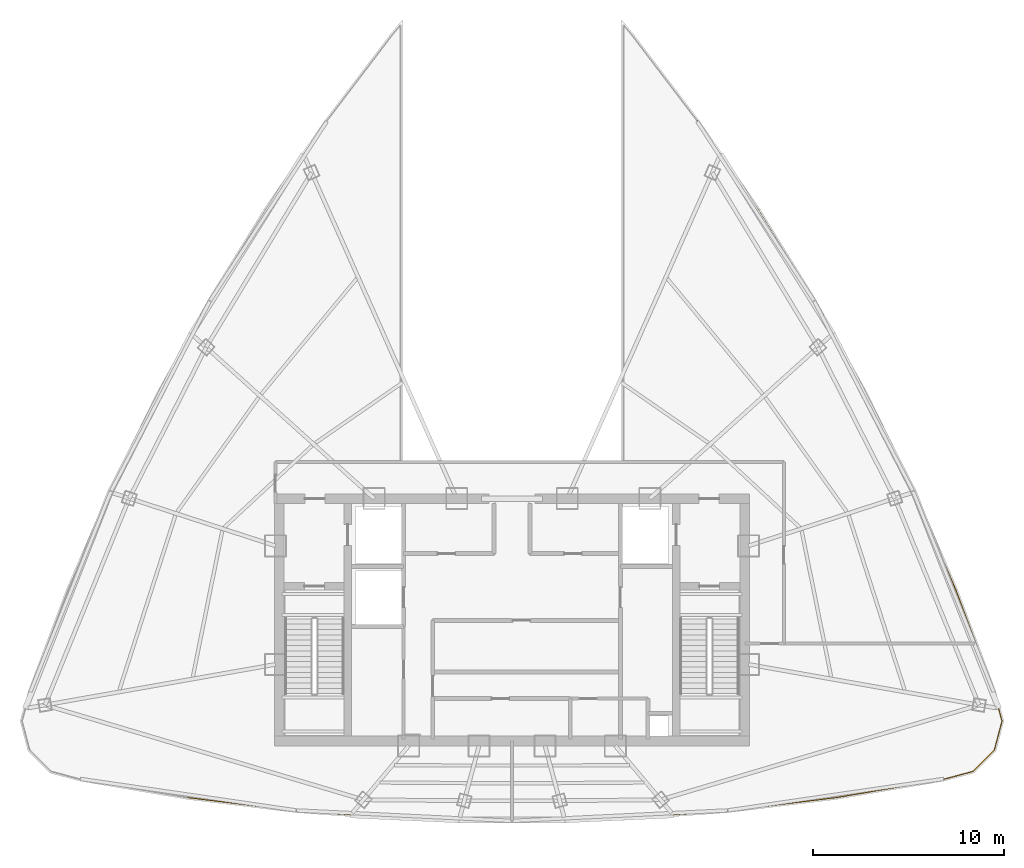
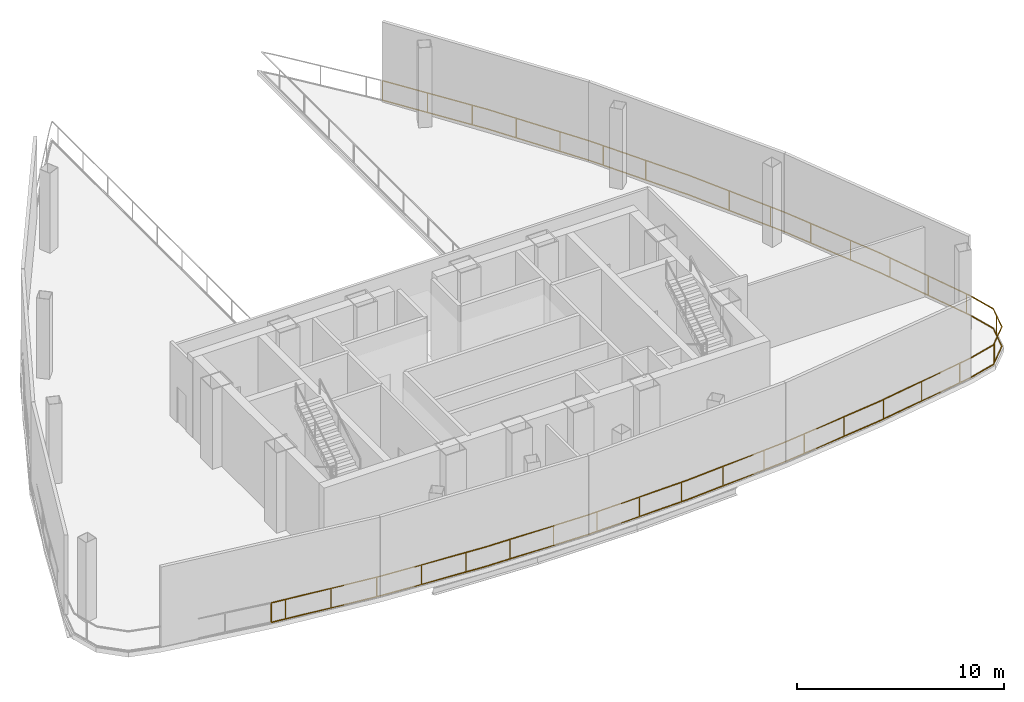
# One storey, part 5 of 6: 1 railing.
"""IFC4 building model written with IfcOpenShell, lengths in metres."""

from ifc_helpers import new_model, si_unit, direction, frame, origin, origin_2d, place, context, subcontext, project, spatial, rectangle, extrude, material, type_object, element, save


model = new_model("IFC4")

# Units and contexts
model_context = context("Model", 3, precision=1e-05, world=origin(), true_north=direction((0.0, 1.0)))
body_context = subcontext(model_context, "Body", "Model", "MODEL_VIEW")
ifc_project = project(units=[si_unit("LENGTHUNIT", "METRE"), si_unit("AREAUNIT", "SQUARE_METRE"), si_unit("VOLUMEUNIT", "CUBIC_METRE"), si_unit("PLANEANGLEUNIT", "RADIAN"), si_unit("MASSUNIT", "GRAM", prefix="KILO"), si_unit("THERMODYNAMICTEMPERATUREUNIT", "KELVIN"), si_unit("POWERUNIT", "WATT")], contexts=[model_context])

# Site, building, storey
site_placement = place(None, origin())
site = spatial("IfcSite", under=ifc_project, at=site_placement, CompositionType="ELEMENT")
building_placement = place(site_placement, origin())
building = spatial("IfcBuilding", under=site, at=building_placement, Name="Yunzhuo Pagoda Commons", CompositionType="ELEMENT")
storey_placement = place(building_placement, frame((0.0, 0.0, 381.760009765625)))
storey = spatial("IfcBuildingStorey", under=building, at=storey_placement, Name="L95", CompositionType="ELEMENT", Elevation=381.760009765625)

# Railing
ifc_material = material(Name="Anodized aluminium 6063-T6", Category="aluminium")
railing_type = type_object("IfcRailingType", Name="RL-PRT1 Wind Portal & Refuge Guardrail 1200", PredefinedType="GUARDRAIL", material=ifc_material)
railing_placement = place(storey_placement, frame((57.712890625, 59.97998046875, 0.0)))
element("IfcRailing", 1, at=railing_placement, inside=storey, type_object=railing_type, Name="L95 wind portal wing 1 guardrail A", PredefinedType="GUARDRAIL", context=body_context, shape_type="SweptSolid", body=[
    extrude(rectangle(XDim=0.048095703125, YDim=0.048095703125, at=origin_2d()), frame((0.0, 0.0, 1.17578125), z_axis=(0.566184343599, -0.824278647706, 0.0), x_axis=(0.824278647706, 0.566184343599, 0.0)), (0.0, 0.0, 1.0), 5.62548828125),
    extrude(rectangle(XDim=0.048095703125, YDim=0.048095703125, at=origin_2d()), frame((0.0, 0.0, 0.02392578125), z_axis=(0.566184343599, -0.824278647706, 0.0), x_axis=(0.824278647706, 0.566184343599, 0.0)), (0.0, 0.0, 1.0), 5.62548828125),
    extrude(rectangle(XDim=0.048095703125, YDim=0.048095703125, at=origin_2d()), frame((3.18505859375, -4.636962890625, 1.17578125), z_axis=(0.52515291418, -0.851007882883, 0.0), x_axis=(0.851007882883, 0.52515291418, 0.0)), (0.0, 0.0, 1.0), 5.61181640625),
    extrude(rectangle(XDim=0.048095703125, YDim=0.048095703125, at=origin_2d()), frame((3.18505859375, -4.636962890625, 0.02392578125), z_axis=(0.52515291418, -0.851007882883, 0.0), x_axis=(0.851007882883, 0.52515291418, 0.0)), (0.0, 0.0, 1.0), 5.61181640625),
    extrude(rectangle(XDim=0.048095703125, YDim=0.048095703125, at=origin_2d()), frame((6.132080078125, -9.41259765625, 1.17578125), z_axis=(0.482785214166, -0.875738794951, 0.0), x_axis=(0.875738794951, 0.482785214166, 0.0)), (0.0, 0.0, 1.0), 5.612060546875),
    extrude(rectangle(XDim=0.048095703125, YDim=0.048095703125, at=origin_2d()), frame((6.132080078125, -9.41259765625, 0.02392578125), z_axis=(0.482785214166, -0.875738794951, 0.0), x_axis=(0.875738794951, 0.482785214166, 0.0)), (0.0, 0.0, 1.0), 5.612060546875),
    extrude(rectangle(XDim=0.048095703125, YDim=0.048095703125, at=origin_2d()), frame((8.841552734375, -14.327392578125, 1.17578125), z_axis=(0.439384485978, -0.898299100234, 0.0), x_axis=(0.898299100234, 0.439384485978, 0.0)), (0.0, 0.0, 1.0), 5.625244140625),
    extrude(rectangle(XDim=0.048095703125, YDim=0.048095703125, at=origin_2d()), frame((8.841552734375, -14.327392578125, 0.02392578125), z_axis=(0.439384485978, -0.898299100234, 0.0), x_axis=(0.898299100234, 0.439384485978, 0.0)), (0.0, 0.0, 1.0), 5.625244140625),
    extrude(rectangle(XDim=0.048095703125, YDim=0.048095703125, at=origin_2d()), frame((11.313232421875, -19.380615234375, 1.17578125), z_axis=(0.395237697454, -0.91857888203, 0.0), x_axis=(0.91857888203, 0.395237697454, 0.0)), (0.0, 0.0, 1.0), 5.652587890625),
    extrude(rectangle(XDim=0.048095703125, YDim=0.048095703125, at=origin_2d()), frame((11.313232421875, -19.380615234375, 0.02392578125), z_axis=(0.395237697454, -0.91857888203, 0.0), x_axis=(0.91857888203, 0.395237697454, 0.0)), (0.0, 0.0, 1.0), 5.652587890625),
    extrude(rectangle(XDim=0.048095703125, YDim=0.048095703125, at=origin_2d()), frame((13.54736328125, -24.572998046875, 1.17578125), z_axis=(0.350704936473, -0.936486010325, 0.0), x_axis=(0.936486010325, 0.350704936473, 0.0)), (0.0, 0.0, 1.0), 5.690185546875),
    extrude(rectangle(XDim=0.048095703125, YDim=0.048095703125, at=origin_2d()), frame((13.54736328125, -24.572998046875, 0.02392578125), z_axis=(0.350704936473, -0.936486010325, 0.0), x_axis=(0.936486010325, 0.350704936473, 0.0)), (0.0, 0.0, 1.0), 5.690185546875),
    extrude(rectangle(XDim=0.048095703125, YDim=0.048095703125, at=origin_2d()), frame((15.54296875, -29.90185546875, 1.17578125), z_axis=(0.262922930823, -0.964816838808, 0.0), x_axis=(0.964816838808, 0.262922930823, 0.0)), (0.0, 0.0, 1.0), 1.593505859375),
    extrude(rectangle(XDim=0.048095703125, YDim=0.048095703125, at=origin_2d()), frame((15.54296875, -29.90185546875, 0.02392578125), z_axis=(0.262922930823, -0.964816838808, 0.0), x_axis=(0.964816838808, 0.262922930823, 0.0)), (0.0, 0.0, 1.0), 1.593505859375),
    extrude(rectangle(XDim=0.048095703125, YDim=0.048095703125, at=origin_2d()), frame((15.9619140625, -31.439208984375, 1.17578125), z_axis=(-0.256114674662, -0.966646405581, 0.0), x_axis=(0.966646405581, -0.256114674662, 0.0)), (0.0, 0.0, 1.0), 1.571044921875),
    extrude(rectangle(XDim=0.048095703125, YDim=0.048095703125, at=origin_2d()), frame((15.9619140625, -31.439208984375, 0.02392578125), z_axis=(-0.256114674662, -0.966646405581, 0.0), x_axis=(0.966646405581, -0.256114674662, 0.0)), (0.0, 0.0, 1.0), 1.571044921875),
    extrude(rectangle(XDim=0.048095703125, YDim=0.048095703125, at=origin_2d()), frame((15.5595703125, -32.957763671875, 1.17578125), z_axis=(-0.705784726327, -0.708426368851, 0.0), x_axis=(0.708426368851, -0.705784726327, 0.0)), (0.0, 0.0, 1.0), 1.571044921875),
    extrude(rectangle(XDim=0.048095703125, YDim=0.048095703125, at=origin_2d()), frame((15.5595703125, -32.957763671875, 0.02392578125), z_axis=(-0.705784726327, -0.708426368851, 0.0), x_axis=(0.708426368851, -0.705784726327, 0.0)), (0.0, 0.0, 1.0), 1.571044921875),
    extrude(rectangle(XDim=0.048095703125, YDim=0.048095703125, at=origin_2d()), frame((14.45068359375, -34.07080078125, 1.17578125), z_axis=(-0.965767970821, -0.259407452737, 0.0), x_axis=(0.259407452737, -0.965767970821, 0.0)), (0.0, 0.0, 1.0), 1.59326171875),
    extrude(rectangle(XDim=0.048095703125, YDim=0.048095703125, at=origin_2d()), frame((14.45068359375, -34.07080078125, 0.02392578125), z_axis=(-0.965767970821, -0.259407452737, 0.0), x_axis=(0.259407452737, -0.965767970821, 0.0)), (0.0, 0.0, 1.0), 1.59326171875),
    extrude(rectangle(XDim=0.048095703125, YDim=0.048095703125, at=origin_2d()), frame((12.911865234375, -34.484130859375, 1.17578125), z_axis=(-0.985802138358, -0.167911119374, 0.0), x_axis=(0.167911119374, -0.985802138358, 0.0)), (0.0, 0.0, 1.0), 5.736083984375),
    extrude(rectangle(XDim=0.048095703125, YDim=0.048095703125, at=origin_2d()), frame((12.911865234375, -34.484130859375, 0.02392578125), z_axis=(-0.985802138358, -0.167911119374, 0.0), x_axis=(0.167911119374, -0.985802138358, 0.0)), (0.0, 0.0, 1.0), 5.736083984375),
    extrude(rectangle(XDim=0.048095703125, YDim=0.048095703125, at=origin_2d()), frame((7.25732421875, -35.447265625, 1.17578125), z_axis=(-0.992679866882, -0.120775336415, 0.0), x_axis=(0.120775336415, -0.992679866882, 0.0)), (0.0, 0.0, 1.0), 5.698486328125),
    extrude(rectangle(XDim=0.048095703125, YDim=0.048095703125, at=origin_2d()), frame((7.25732421875, -35.447265625, 0.02392578125), z_axis=(-0.992679866882, -0.120775336415, 0.0), x_axis=(0.120775336415, -0.992679866882, 0.0)), (0.0, 0.0, 1.0), 5.698486328125),
    extrude(rectangle(XDim=0.048095703125, YDim=0.048095703125, at=origin_2d()), frame((1.6005859375, -36.135498046875, 1.17578125), z_axis=(-0.997347611659, -0.072785585918, 0.0), x_axis=(0.072785585918, -0.997347611659, 0.0)), (0.0, 0.0, 1.0), 5.672119140625),
    extrude(rectangle(XDim=0.048095703125, YDim=0.048095703125, at=origin_2d()), frame((1.6005859375, -36.135498046875, 0.02392578125), z_axis=(-0.997347611659, -0.072785585918, 0.0), x_axis=(0.072785585918, -0.997347611659, 0.0)), (0.0, 0.0, 1.0), 5.672119140625),
    extrude(rectangle(XDim=0.048095703125, YDim=0.048095703125, at=origin_2d()), frame((-4.056396484375, -36.54833984375, 1.17578125), z_axis=(-0.999703843907, -0.024335662651, 0.0), x_axis=(0.024335662651, -0.999703843907, 0.0)), (0.0, 0.0, 1.0), 5.658203125),
    extrude(rectangle(XDim=0.048095703125, YDim=0.048095703125, at=origin_2d()), frame((-4.056396484375, -36.54833984375, 0.02392578125), z_axis=(-0.999703843907, -0.024335662651, 0.0), x_axis=(0.024335662651, -0.999703843907, 0.0)), (0.0, 0.0, 1.0), 5.658203125),
    extrude(rectangle(XDim=0.048095703125, YDim=0.048095703125, at=origin_2d()), frame((-9.712890625, -36.68603515625, 1.17578125), z_axis=(-0.999703869459, 0.024334612964, 0.0), x_axis=(-0.024334612964, -0.999703869459, 0.0)), (0.0, 0.0, 1.0), 5.658447265625),
    extrude(rectangle(XDim=0.048095703125, YDim=0.048095703125, at=origin_2d()), frame((-9.712890625, -36.68603515625, 0.02392578125), z_axis=(-0.999703869459, 0.024334612964, 0.0), x_axis=(-0.024334612964, -0.999703869459, 0.0)), (0.0, 0.0, 1.0), 5.658447265625),
    extrude(rectangle(XDim=0.048095703125, YDim=0.048095703125, at=origin_2d()), frame((-15.36962890625, -36.54833984375, 1.17578125), z_axis=(-0.997347383614, 0.072788710647, 0.0), x_axis=(-0.072788710647, -0.997347383614, 0.0)), (0.0, 0.0, 1.0), 5.671875),
    extrude(rectangle(XDim=0.048095703125, YDim=0.048095703125, at=origin_2d()), frame((-15.36962890625, -36.54833984375, 0.02392578125), z_axis=(-0.997347383614, 0.072788710647, 0.0), x_axis=(-0.072788710647, -0.997347383614, 0.0)), (0.0, 0.0, 1.0), 5.671875),
    extrude(rectangle(XDim=0.048095703125, YDim=0.048095703125, at=origin_2d()), frame((-21.0263671875, -36.135498046875, 1.17578125), z_axis=(-0.992679866882, 0.120775336415, 0.0), x_axis=(-0.120775336415, -0.992679866882, 0.0)), (0.0, 0.0, 1.0), 5.698486328125),
    extrude(rectangle(XDim=0.048095703125, YDim=0.048095703125, at=origin_2d()), frame((-21.0263671875, -36.135498046875, 0.02392578125), z_axis=(-0.992679866882, 0.120775336415, 0.0), x_axis=(-0.120775336415, -0.992679866882, 0.0)), (0.0, 0.0, 1.0), 5.698486328125),
    extrude(rectangle(XDim=0.0419921875, YDim=0.0419921875, at=origin_2d()), origin(), (0.0, 0.0, 1.0), 1.15185546875),
    extrude(rectangle(XDim=0.0419921875, YDim=0.0419921875, at=origin_2d()), frame((1.35888671875, -1.978271484375, 0.0)), (0.0, 0.0, 1.0), 1.15185546875),
    extrude(rectangle(XDim=0.0419921875, YDim=0.0419921875, at=origin_2d()), frame((2.7177734375, -3.95654296875, 0.0)), (0.0, 0.0, 1.0), 1.15185546875),
    extrude(rectangle(XDim=0.0419921875, YDim=0.0419921875, at=origin_2d()), frame((4.011962890625, -5.976806640625, 0.0)), (0.0, 0.0, 1.0), 1.15185546875),
    extrude(rectangle(XDim=0.0419921875, YDim=0.0419921875, at=origin_2d()), frame((5.272216796875, -8.019287109375, 0.0)), (0.0, 0.0, 1.0), 1.15185546875),
    extrude(rectangle(XDim=0.0419921875, YDim=0.0419921875, at=origin_2d()), frame((6.500244140625, -10.08056640625, 0.0)), (0.0, 0.0, 1.0), 1.15185546875),
    extrude(rectangle(XDim=0.0419921875, YDim=0.0419921875, at=origin_2d()), frame((7.658935546875, -12.182373046875, 0.0)), (0.0, 0.0, 1.0), 1.15185546875),
    extrude(rectangle(XDim=0.0419921875, YDim=0.0419921875, at=origin_2d()), frame((9.874267578125, -16.43896484375, 0.0)), (0.0, 0.0, 1.0), 1.15185546875),
    extrude(rectangle(XDim=0.0419921875, YDim=0.0419921875, at=origin_2d()), frame((10.928955078125, -18.594970703125, 0.0)), (0.0, 0.0, 1.0), 1.15185546875),
    extrude(rectangle(XDim=0.0419921875, YDim=0.0419921875, at=origin_2d()), frame((11.916015625, -20.78173828125, 0.0)), (0.0, 0.0, 1.0), 1.15185546875),
    extrude(rectangle(XDim=0.0419921875, YDim=0.0419921875, at=origin_2d()), frame((12.86474609375, -22.986328125, 0.0)), (0.0, 0.0, 1.0), 1.15185546875),
    extrude(rectangle(XDim=0.0419921875, YDim=0.0419921875, at=origin_2d()), frame((13.783203125, -25.202880859375, 0.0)), (0.0, 0.0, 1.0), 1.15185546875),
    extrude(rectangle(XDim=0.0419921875, YDim=0.0419921875, at=origin_2d()), frame((14.625, -27.450439453125, 0.0)), (0.0, 0.0, 1.0), 1.15185546875),
    extrude(rectangle(XDim=0.0419921875, YDim=0.0419921875, at=origin_2d()), frame((15.466552734375, -29.697998046875, 0.0)), (0.0, 0.0, 1.0), 1.15185546875),
    extrude(rectangle(XDim=0.0419921875, YDim=0.0419921875, at=origin_2d()), frame((15.81103515625, -32.008544921875, 0.0)), (0.0, 0.0, 1.0), 1.15185546875),
    extrude(rectangle(XDim=0.0419921875, YDim=0.0419921875, at=origin_2d()), frame((14.558837890625, -33.96240234375, 0.0)), (0.0, 0.0, 1.0), 1.15185546875),
    extrude(rectangle(XDim=0.0419921875, YDim=0.0419921875, at=origin_2d()), frame((12.267578125, -34.59375, 0.0)), (0.0, 0.0, 1.0), 1.15185546875),
    extrude(rectangle(XDim=0.0419921875, YDim=0.0419921875, at=origin_2d()), frame((9.901611328125, -34.996826171875, 0.0)), (0.0, 0.0, 1.0), 1.15185546875),
    extrude(rectangle(XDim=0.0419921875, YDim=0.0419921875, at=origin_2d()), frame((7.535888671875, -35.39990234375, 0.0)), (0.0, 0.0, 1.0), 1.15185546875),
    extrude(rectangle(XDim=0.0419921875, YDim=0.0419921875, at=origin_2d()), frame((5.1552734375, -35.703125, 0.0)), (0.0, 0.0, 1.0), 1.15185546875),
    extrude(rectangle(XDim=0.0419921875, YDim=0.0419921875, at=origin_2d()), frame((2.77294921875, -35.992919921875, 0.0)), (0.0, 0.0, 1.0), 1.15185546875),
    extrude(rectangle(XDim=0.0419921875, YDim=0.0419921875, at=origin_2d()), frame((0.384765625, -36.22412109375, 0.0)), (0.0, 0.0, 1.0), 1.15185546875),
    extrude(rectangle(XDim=0.0419921875, YDim=0.0419921875, at=origin_2d()), frame((-2.0087890625, -36.39892578125, 0.0)), (0.0, 0.0, 1.0), 1.15185546875),
    extrude(rectangle(XDim=0.0419921875, YDim=0.0419921875, at=origin_2d()), frame((-4.4033203125, -36.556884765625, 0.0)), (0.0, 0.0, 1.0), 1.15185546875),
    extrude(rectangle(XDim=0.0419921875, YDim=0.0419921875, at=origin_2d()), frame((-6.802734375, -36.615234375, 0.0)), (0.0, 0.0, 1.0), 1.15185546875),
    extrude(rectangle(XDim=0.0419921875, YDim=0.0419921875, at=origin_2d()), frame((-9.201904296875, -36.673583984375, 0.0)), (0.0, 0.0, 1.0), 1.15185546875),
    extrude(rectangle(XDim=0.0419921875, YDim=0.0419921875, at=origin_2d()), frame((-11.601318359375, -36.64013671875, 0.0)), (0.0, 0.0, 1.0), 1.15185546875),
    extrude(rectangle(XDim=0.0419921875, YDim=0.0419921875, at=origin_2d()), frame((-14.00048828125, -36.581787109375, 0.0)), (0.0, 0.0, 1.0), 1.15185546875),
    extrude(rectangle(XDim=0.0419921875, YDim=0.0419921875, at=origin_2d()), frame((-16.3974609375, -36.473388671875, 0.0)), (0.0, 0.0, 1.0), 1.15185546875),
    extrude(rectangle(XDim=0.0419921875, YDim=0.0419921875, at=origin_2d()), frame((-18.791015625, -36.298583984375, 0.0)), (0.0, 0.0, 1.0), 1.15185546875),
    extrude(rectangle(XDim=0.0419921875, YDim=0.0419921875, at=origin_2d()), frame((-21.183837890625, -36.1162109375, 0.0)), (0.0, 0.0, 1.0), 1.15185546875),
    extrude(rectangle(XDim=0.0419921875, YDim=0.0419921875, at=origin_2d()), frame((-23.56640625, -35.826416015625, 0.0)), (0.0, 0.0, 1.0), 1.15185546875),
    extrude(rectangle(XDim=0.0419921875, YDim=0.0419921875, at=origin_2d()), frame((-25.94873046875, -35.53662109375, 0.0)), (0.0, 0.0, 1.0), 1.15185546875),
    extrude(rectangle(XDim=0.0419921875, YDim=0.0419921875, at=origin_2d()), frame((-26.68310546875, -35.447265625, 0.0)), (0.0, 0.0, 1.0), 1.15185546875),
])

save(model, "model.ifc")
